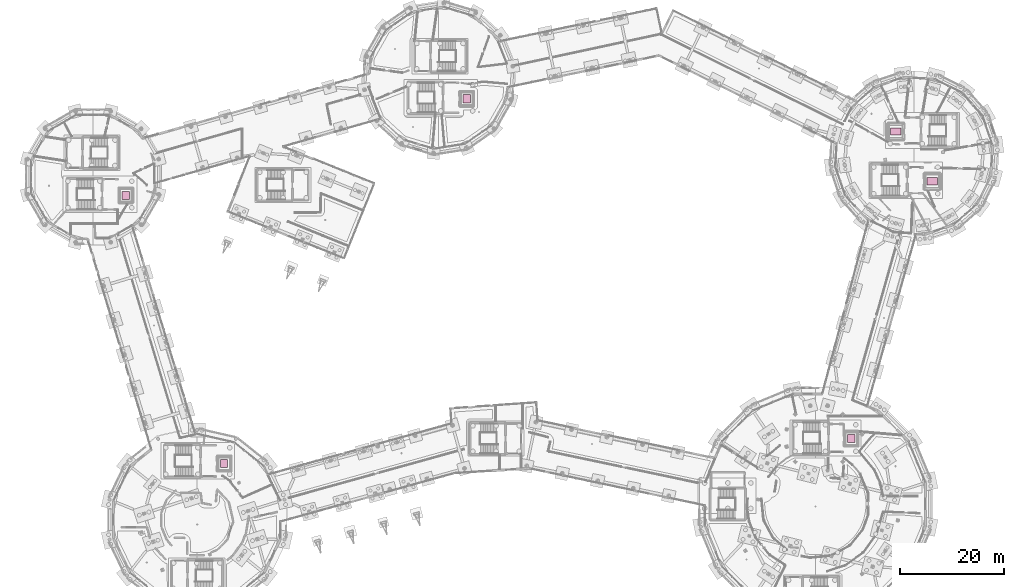
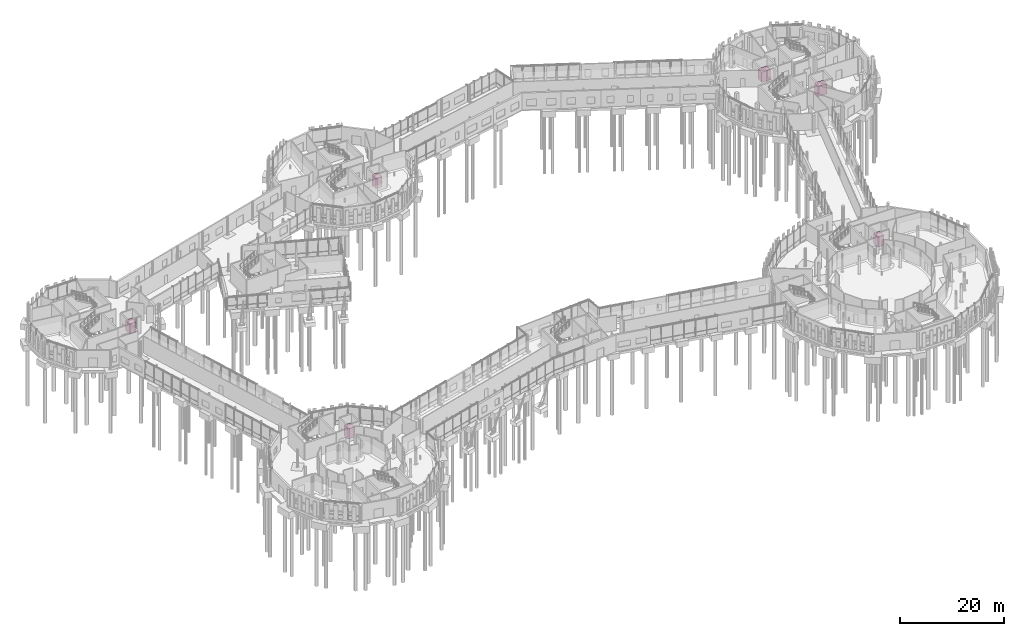
# One storey, part 113 of 113: 6 transport elements.
"""IFC4 building model written with IfcOpenShell, lengths in metres."""

from ifc_helpers import new_model, si_unit, direction, frame, origin, origin_2d, place, context, subcontext, project, spatial, rectangle, extrude, material, type_object, element, save


model = new_model("IFC4")

# Units and contexts
model_context = context("Model", 3, precision=1e-05, world=origin(), true_north=direction((0.0, 1.0)))
body_context = subcontext(model_context, "Body", "Model", "MODEL_VIEW")
ifc_project = project(units=[si_unit("LENGTHUNIT", "METRE"), si_unit("AREAUNIT", "SQUARE_METRE"), si_unit("VOLUMEUNIT", "CUBIC_METRE"), si_unit("PLANEANGLEUNIT", "RADIAN"), si_unit("MASSUNIT", "GRAM", prefix="KILO")], contexts=[model_context])

# Site, building, storey
site_placement = place(None, origin())
site = spatial("IfcSite", under=ifc_project, at=site_placement, CompositionType="ELEMENT")
building_placement = place(site_placement, origin())
building = spatial("IfcBuilding", under=site, at=building_placement, Name="Wrenclough Park School", CompositionType="ELEMENT")
storey_placement = place(building_placement, origin())
storey = spatial("IfcBuildingStorey", under=building, at=storey_placement, Name="L00", CompositionType="ELEMENT", Elevation=0.0)

# Transport elements
ifc_material_1 = material(Name="Brushed stainless steel BS EN 81-72 firefighting lift car", Category="steel")
transport_element_type_1 = type_object("IfcTransportElementType", Name="INT-LFT-FF", PredefinedType="ELEVATOR", material=ifc_material_1)
for number, where, z_axis, x_axis, name in (
    (1, (178.0, 88.60009765625, 0.0), (0.0, 0.0, 1.0), (1.0, 0.0, 0.0), "Firefighting lift LFT-01"),
    (2, (171.0, 98.199951171875, 0.0), (0.0, 0.0, 1.0), (1.0, 0.0, 0.0), "Firefighting lift LFT-02"),
):
    element("IfcTransportElement", number, at=place(storey_placement, frame(where, z_axis=z_axis, x_axis=x_axis)), inside=storey, type_object=transport_element_type_1, Name=name, PredefinedType="ELEVATOR", context=body_context, shape_type="SweptSolid", body=[
        extrude(rectangle(XDim=2.0, YDim=1.39990234375, at=origin_2d()), origin(), (0.0, 0.0, 1.0), 2.39990234375),
    ])
ifc_material_2 = material(Name="Brushed stainless steel BS EN 81-70 passenger lift car", Category="steel")
transport_element_type_2 = type_object("IfcTransportElementType", Name="INT-LFT-PAX", PredefinedType="ELEVATOR", material=ifc_material_2)
for number, where, z_axis, x_axis, name in (
    (3, (162.39990234375, 39.10009765625, 0.0), (0.0, 0.0, 1.0), (1.0, 0.0, 0.0), "Passenger lift LFT-03"),
    (4, (41.699951171875, 34.300048828125, 0.0), (0.0, 0.0, 1.0), (1.0, 0.0, 0.0), "Passenger lift LFT-04"),
    (5, (22.800048828125, 85.89990234375, 0.0), (0.0, 0.0, 1.0), (1.0, 0.0, 0.0), "Passenger lift LFT-05"),
    (6, (88.39990234375, 104.5, 0.0), (0.0, 0.0, 1.0), (1.0, 0.0, 0.0), "Passenger lift LFT-06"),
):
    element("IfcTransportElement", number, at=place(storey_placement, frame(where, z_axis=z_axis, x_axis=x_axis)), inside=storey, type_object=transport_element_type_2, Name=name, PredefinedType="ELEVATOR", context=body_context, shape_type="SweptSolid", body=[
        extrude(rectangle(XDim=1.39990234375, YDim=1.60009765625, at=origin_2d()), origin(), (0.0, 0.0, 1.0), 2.39990234375),
    ])

save(model, "model.ifc")
